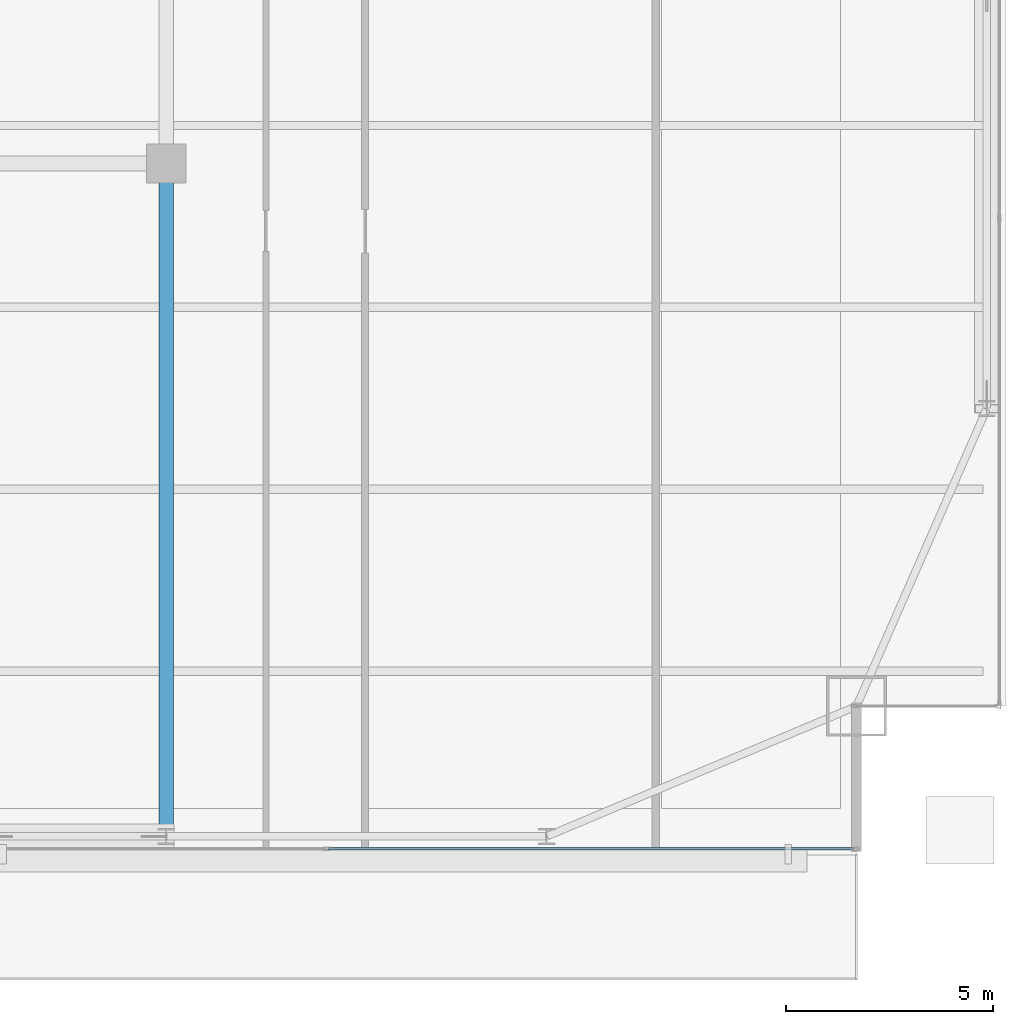
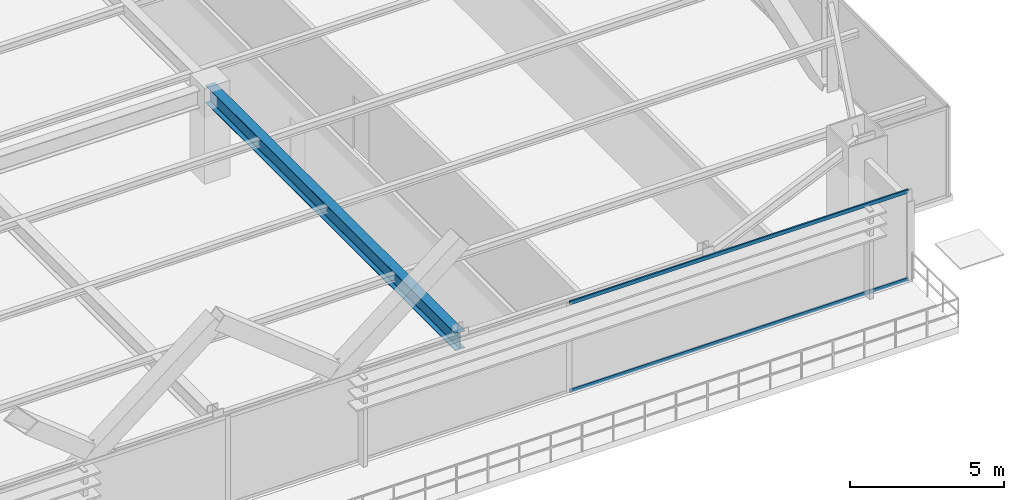
# One storey, part 13 of 35: 2 members, 1 beam, 1 element without a shape of its own.
"""IFC4 building model written with IfcOpenShell, lengths in metres."""

from ifc_helpers import new_model, si_unit, direction, frame, origin, origin_2d, place, context, subcontext, project, spatial, hollow_rectangle, i_section, extrude, source, transform, mapped, material, layer, layer_set, material_profile, profile_set, type_object, type_shapes, element, aggregate, save


model = new_model("IFC4")

# Units and contexts
model_context = context("Model", 3, precision=1e-05, world=origin(), true_north=direction((0.0, 1.0)))
body_context = subcontext(model_context, "Body", "Model", "MODEL_VIEW")
ifc_project = project(units=[si_unit("LENGTHUNIT", "METRE"), si_unit("AREAUNIT", "SQUARE_METRE"), si_unit("VOLUMEUNIT", "CUBIC_METRE"), si_unit("PLANEANGLEUNIT", "RADIAN"), si_unit("MASSUNIT", "GRAM", prefix="KILO")], contexts=[model_context])

# Site, building, storey
site_placement = place(None, origin())
site = spatial("IfcSite", under=ifc_project, at=site_placement, CompositionType="ELEMENT")
building_placement = place(site_placement, origin())
building = spatial("IfcBuilding", under=site, at=building_placement, Name="Varnel Quay Broadcast Tower", CompositionType="ELEMENT")
storey_placement = place(building_placement, frame((0.0, 0.0, 87.0)))
storey = spatial("IfcBuildingStorey", under=building, at=storey_placement, Name="L20", CompositionType="ELEMENT", Elevation=87.0)

# Beam
ifc_material_1 = material(Name="Structural Steel CSA G40.21 350W", Category="steel")
ifc_material_profile_1 = material_profile(ifc_material_1, i_section(OverallWidth=0.35498046875, OverallDepth=0.695068359375, WebThickness=0.015380859375, FlangeThickness=0.02490234375, FilletRadius=0.01806640625, at=origin_2d()), Name="W690X217")
ifc_profile_set_1 = profile_set([ifc_material_profile_1], Name="Structural Steel CSA G40.21 350W")
beam_type = type_object("IfcBeamType", Name="Girder_W690X217", PredefinedType="BEAM", material=ifc_profile_set_1)
shared_shape_1 = source(origin(), body_context, "Body", "SweptSolid", [
    extrude(i_section(OverallWidth=0.35498046875, OverallDepth=0.695068359375, WebThickness=0.015380859375, FlangeThickness=0.02490234375, FilletRadius=0.01806640625, at=origin_2d()), origin(), (0.0, 0.0, 1.0), 16.239990234375),
])
type_shapes(beam_type, [shared_shape_1])
beam_placement = place(storey_placement, frame((43.199951171875, 4.669921875, 3.202392578125), z_axis=(0.0, 1.0, 0.0), x_axis=(-1.0, 0.0, 0.0)))
element("IfcBeam", 1, at=beam_placement, inside=storey, type_object=beam_type, Name="L20 Primary Girder TC-S4-IC-02", PredefinedType="BEAM", context=body_context, shape_type="MappedRepresentation", body=[
    mapped(shared_shape_1, transform((0.0, 0.0, 0.0), x_axis=(1.0, 0.0, 0.0), y_axis=(0.0, 1.0, 0.0), z_axis=(0.0, 0.0, 1.0), scale=1.0)),
])

# Curtain wall, members
ifc_material_2 = material(Name="Anodised Bronze Aluminium 6063-T6", Category="aluminium")
ifc_layer = layer(ifc_material_2, 0.18994140625, Name="Anodised Bronze Aluminium 6063-T6")
ifc_layer_set = layer_set([ifc_layer], Name="Anodised Bronze Aluminium 6063-T6")
curtain_wall_type = type_object("IfcCurtainWallType", Name="CW_LowerTower", PredefinedType="NOTDEFINED", material=ifc_layer_set)
curtain_wall_placement = place(storey_placement, origin())
curtain_wall = element("IfcCurtainWall", 2, at=curtain_wall_placement, inside=storey, type_object=curtain_wall_type, Name="L20 South Unitised Curtain Wall 2", PredefinedType="NOTDEFINED")
ifc_material_profile_2 = material_profile(ifc_material_2, hollow_rectangle(XDim=0.06005859375, YDim=0.14501953125, WallThickness=0.00341796875, at=origin_2d()), Name="ALU60X145X3.5")
ifc_profile_set_2 = profile_set([ifc_material_profile_2], Name="Anodised Bronze Aluminium 6063-T6")
member_type = type_object("IfcMemberType", Name="Tran_CWS-02", PredefinedType="USERDEFINED", material=ifc_profile_set_2)
shared_shape_2 = source(origin(), body_context, "Body", "SweptSolid", [
    extrude(hollow_rectangle(XDim=0.06005859375, YDim=0.14501953125, WallThickness=0.00341796875, at=origin_2d()), origin(), (0.0, 0.0, 1.0), 12.70166015625),
])
type_shapes(member_type, [shared_shape_2])
member_1_placement = place(storey_placement, frame((47.12841796875, 4.35009765625, 0.030029296875), z_axis=(1.0, 0.0, 0.0), x_axis=(0.0, 1.0, 0.0)))
member_1 = element("IfcMember", 3, at=member_1_placement, type_object=member_type, Name="CWS-02 transom 3.1", ObjectType="TRANSOM", PredefinedType="USERDEFINED", context=body_context, shape_type="MappedRepresentation", body=[
    mapped(shared_shape_2, transform((0.0, 0.0, 0.0), x_axis=(1.0, 0.0, 0.0), y_axis=(0.0, 1.0, 0.0), z_axis=(0.0, 0.0, 1.0), scale=1.0)),
])
member_2_placement = place(storey_placement, frame((47.12841796875, 4.35009765625, 3.52001953125), z_axis=(1.0, 0.0, 0.0), x_axis=(0.0, 1.0, 0.0)))
member_2 = element("IfcMember", 4, at=member_2_placement, type_object=member_type, Name="CWS-02 transom 3.2", ObjectType="TRANSOM", PredefinedType="USERDEFINED", context=body_context, shape_type="MappedRepresentation", body=[
    mapped(shared_shape_2, transform((0.0, 0.0, 0.0), x_axis=(1.0, 0.0, 0.0), y_axis=(0.0, 1.0, 0.0), z_axis=(0.0, 0.0, 1.0), scale=1.0)),
])
aggregate(curtain_wall, [member_1, member_2])

save(model, "model.ifc")
